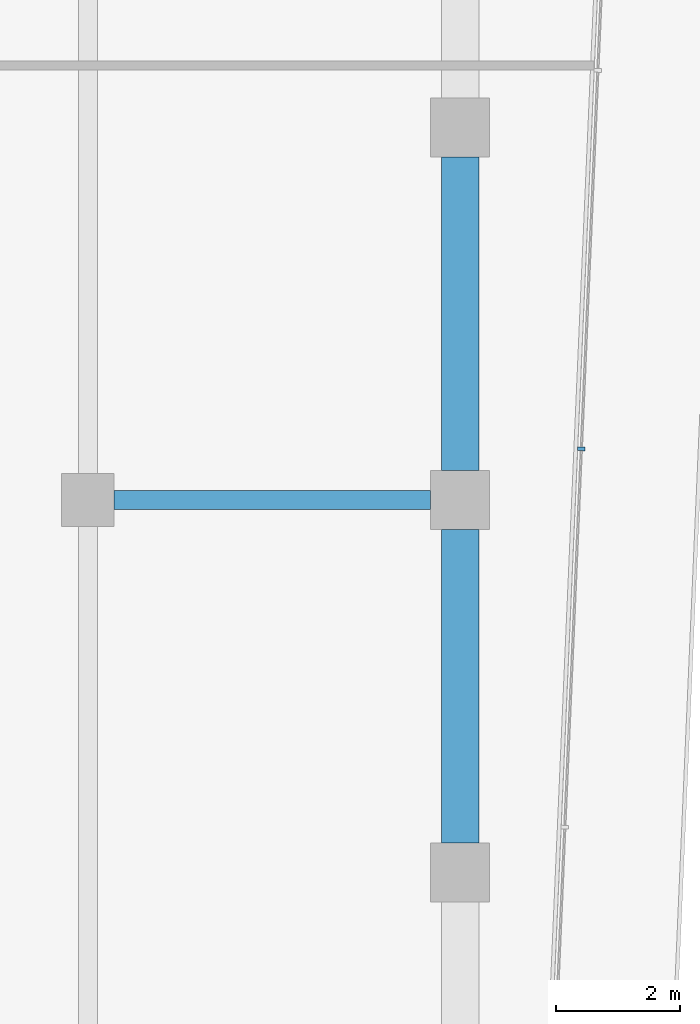
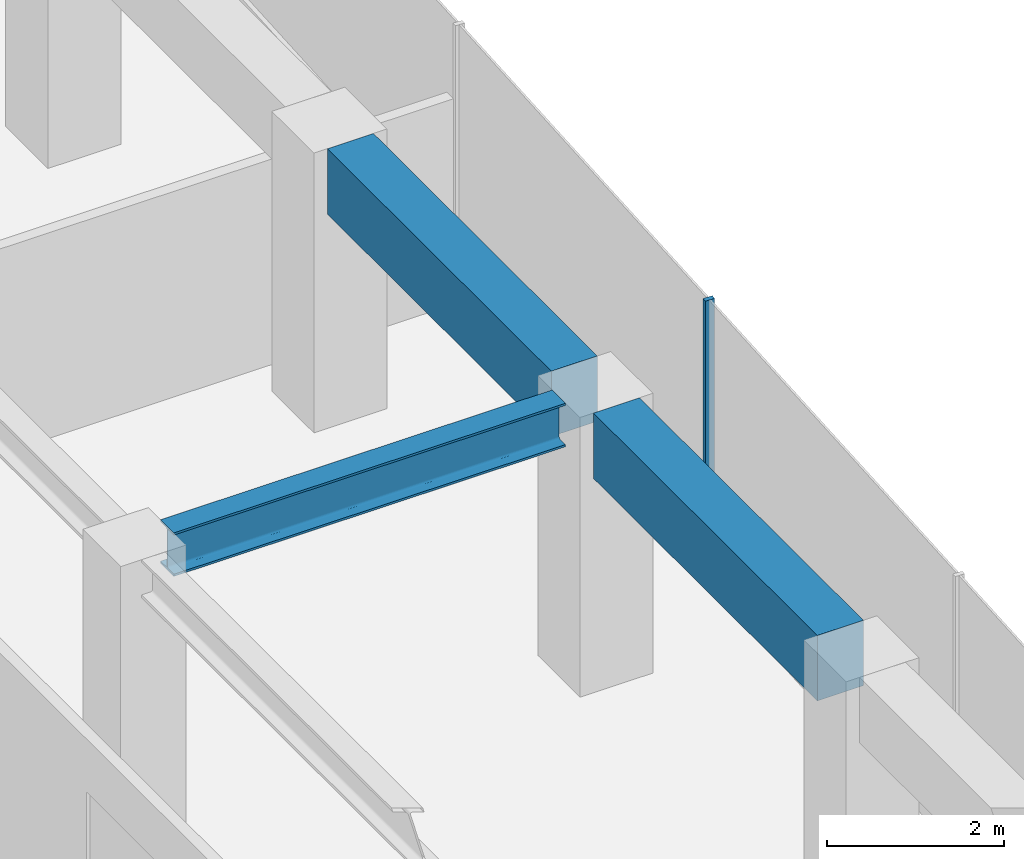
# One storey, part 17 of 29: 3 beams, 1 member, 1 element without a shape of its own.
"""IFC4 building model written with IfcOpenShell, lengths in metres."""

from ifc_helpers import new_model, si_unit, direction, frame, origin, origin_2d, place, context, subcontext, project, spatial, rectangle, i_section, extrude, material, layer, layer_set, material_profile, profile_set, type_object, element, aggregate, save


model = new_model("IFC4")

# Units and contexts
model_context = context("Model", 3, precision=1e-05, world=origin(), true_north=direction((0.0, 1.0)))
body_context = subcontext(model_context, "Body", "Model", "MODEL_VIEW")
ifc_project = project(units=[si_unit("LENGTHUNIT", "METRE"), si_unit("AREAUNIT", "SQUARE_METRE"), si_unit("VOLUMEUNIT", "CUBIC_METRE"), si_unit("PLANEANGLEUNIT", "RADIAN"), si_unit("MASSUNIT", "GRAM", prefix="KILO")], contexts=[model_context])

# Site, building, storey
site_placement = place(None, origin())
site = spatial("IfcSite", under=ifc_project, at=site_placement, CompositionType="ELEMENT")
building_placement = place(site_placement, origin())
building = spatial("IfcBuilding", under=site, at=building_placement, Name="Welwitschia Terrace Campus", CompositionType="ELEMENT")
storey_placement = place(building_placement, frame((0.0, 0.0, 41.60009765625)))
storey = spatial("IfcBuildingStorey", under=building, at=storey_placement, Name="L09", CompositionType="ELEMENT", Elevation=41.60009765625)

# Curtain wall, member
ifc_material_1 = material(Name="Bronze anodised aluminium", Category="aluminium")
ifc_layer = layer(ifc_material_1, 0.1201171875)
ifc_layer_set = layer_set([ifc_layer], Name="Bronze anodised aluminium")
curtain_wall_type = type_object("IfcCurtainWallType", Name="Curtain wall CW2 tower 6000", PredefinedType="NOTDEFINED", material=ifc_layer_set)
curtain_wall_placement = place(storey_placement, origin())
curtain_wall = element("IfcCurtainWall", 1, at=curtain_wall_placement, inside=storey, type_object=curtain_wall_type, Name="CW L09.11.0", PredefinedType="NOTDEFINED")
ifc_material_2 = material(Name="Bronze anodised aluminium", Category="aluminium")
ifc_material_profile_1 = material_profile(ifc_material_2, rectangle(XDim=0.1201171875, YDim=0.06005859375, at=origin_2d()))
ifc_profile_set_1 = profile_set([ifc_material_profile_1], Name="Bronze anodised aluminium")
member_type = type_object("IfcMemberType", Name="Mullion 60x120", PredefinedType="MULLION", material=ifc_profile_set_1)
member_placement = place(storey_placement, frame((25.95263671875, 44.824951171875, 0.0), z_axis=(0.0, 0.0, 1.0), x_axis=(-0.999048221582, 0.043619387365, 0.0)))
member = element("IfcMember", 2, at=member_placement, type_object=member_type, Name="Mullion L09.11.0.3", PredefinedType="MULLION", context=body_context, shape_type="SweptSolid", body=[
    extrude(rectangle(XDim=0.1201171875, YDim=0.06005859375, at=origin_2d()), origin(), (0.0, 0.0, 1.0), 3.849853515625),
])
aggregate(curtain_wall, [member])

# Beams
ifc_material_3 = material(Name="Steel S355", Category="steel")
ifc_material_profile_2 = material_profile(ifc_material_3, i_section(OverallWidth=0.300048828125, OverallDepth=0.60009765625, WebThickness=0.015380859375, FlangeThickness=0.030029296875, FilletRadius=0.027099609375, at=origin_2d()))
ifc_profile_set_2 = profile_set([ifc_material_profile_2], Name="Steel S355")
beam_type_1 = type_object("IfcBeamType", Name="Primary beam HE 600 B", PredefinedType="BEAM", material=ifc_profile_set_2)
beam_placement = place(storey_placement, frame((23.5244140625, 44.0, 3.5498046875), z_axis=(-1.0, 0.0, 0.0), x_axis=(0.0, -1.0, 0.0)))
element("IfcBeam", 3, at=beam_placement, inside=storey, type_object=beam_type_1, Name="Primary beam PB2", PredefinedType="BEAM", context=body_context, shape_type="SweptSolid", body=[
    extrude(i_section(OverallWidth=0.300048828125, OverallDepth=0.60009765625, WebThickness=0.015380859375, FlangeThickness=0.030029296875, FilletRadius=0.027099609375, at=origin_2d()), origin(), (0.0, 0.0, 1.0), 5.098876953125),
])
ifc_material_4 = material(Name="Concrete C60/75", Category="concrete")
ifc_material_profile_3 = material_profile(ifc_material_4, rectangle(XDim=0.60009765625, YDim=0.89990234375, at=origin_2d()))
ifc_profile_set_3 = profile_set([ifc_material_profile_3], Name="Concrete C60/75")
beam_type_2 = type_object("IfcBeamType", Name="Ring spandrel 600x900", PredefinedType="SPANDREL", material=ifc_profile_set_3)
for number, where, z_axis, x_axis, name in (
    (4, (24.0, 38.4755859375, 3.39990234375), (0.0, 1.0, 0.0), (-1.0, 0.0, 0.0), "Spandrel SP2"),
    (5, (24.0, 44.4755859375, 3.39990234375), (0.0, 1.0, 0.0), (-1.0, 0.0, 0.0), "Spandrel SP2"),
):
    element("IfcBeam", number, at=place(storey_placement, frame(where, z_axis=z_axis, x_axis=x_axis)), inside=storey, type_object=beam_type_2, Name=name, PredefinedType="SPANDREL", context=body_context, shape_type="SweptSolid", body=[
        extrude(rectangle(XDim=0.60009765625, YDim=0.89990234375, at=origin_2d()), origin(), (0.0, 0.0, 1.0), 5.048828125),
    ])

save(model, "model.ifc")
